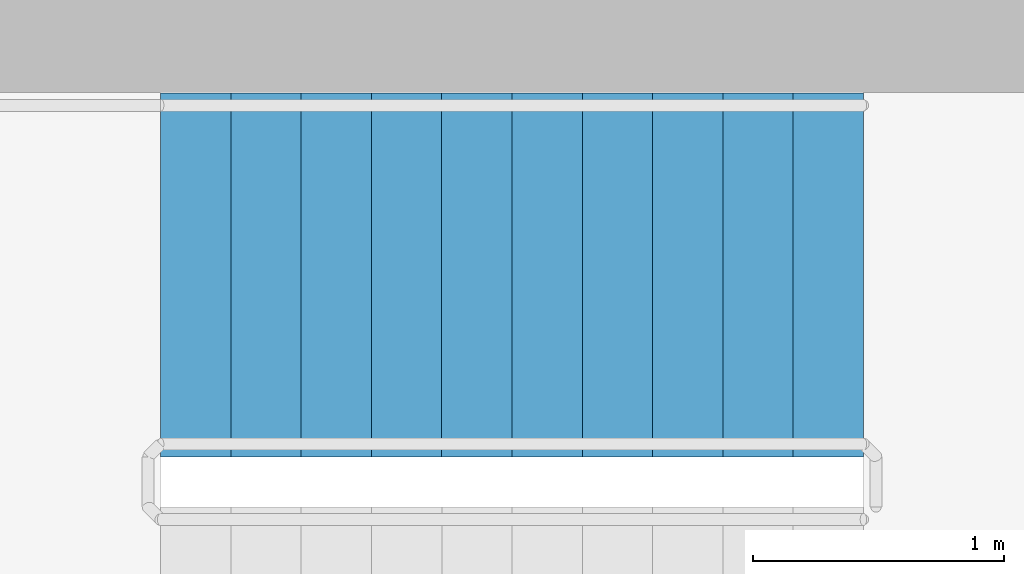
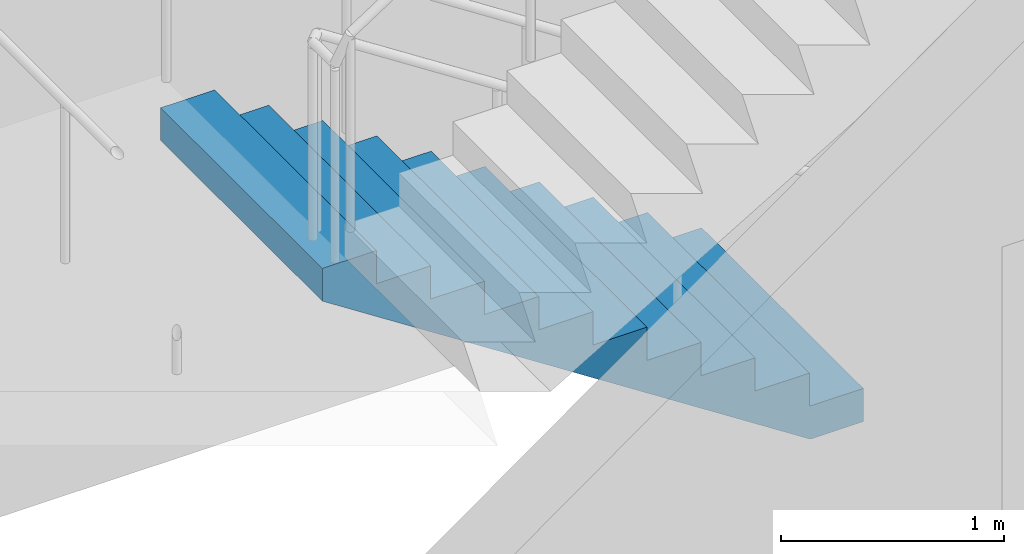
# One storey, part 8 of 10: 1 stair flight, 1 element without a shape of its own.
"""IFC4 building model written with IfcOpenShell, lengths in metres."""

import ifcopenshell
import ifcopenshell.guid

model = None  # the IFC model being written
_history = None  # IfcOwnerHistory: only IFC2X3 demands one
_inside = {}  # id of a spatial element -> (the spatial element, [elements in it])
_under = {}  # id of a project, library or spatial element -> (it, [spatial elements below it])
_declared = {}  # id of a project -> (the project, [libraries it declares])
_typed = {}  # id of a type object -> (the type object, [elements of that type])
_made_of = {}  # id of a material, layer set ... -> (it, [elements and type objects made of it])


def new_model(schema):
    """Start an empty IFC model of exactly this schema.

    Asked for "IFC4X3", IfcOpenShell would pick the latest addendum, in which some entities
    have other attributes; the version numbers below select the first issue.
    IFC2X3 requires an IfcOwnerHistory on every rooted entity: one is made here for all.
    """
    global model, _history
    if schema == "IFC4X3":
        model = ifcopenshell.file(schema_version=(4, 3, 0, 0))
    else:
        model = ifcopenshell.file(schema=schema)
    _inside.clear()
    _under.clear()
    _declared.clear()
    _typed.clear()
    _made_of.clear()
    _history = None
    if model.schema == "IFC2X3":
        org = make("IfcOrganization", Name="unknown")
        user = make(
            "IfcPersonAndOrganization",
            ThePerson=make("IfcPerson", FamilyName="unknown"),
            TheOrganization=org,
        )
        app = make(
            "IfcApplication",
            ApplicationDeveloper=org,
            Version="unknown",
            ApplicationFullName="unknown",
            ApplicationIdentifier="unknown",
        )
        _history = make(
            "IfcOwnerHistory",
            OwningUser=user,
            OwningApplication=app,
            ChangeAction="ADDED",
            CreationDate=0,
        )
    return model


def make(cls, **values):
    """One entity of the class cls with the attributes given. An attribute that is None is left unset."""
    return model.create_entity(
        cls, **{name: value for name, value in values.items() if value is not None}
    )


def rooted(cls, **values):
    """An entity with a GlobalId (a new one), such as an element, a storey or a relation."""
    return make(cls, GlobalId=ifcopenshell.guid.new(), OwnerHistory=_history, **values)


def si_unit(unit_type, name, prefix=None):
    """IfcSIUnit, for example si_unit("LENGTHUNIT", "METRE", prefix="MILLI")."""
    return make("IfcSIUnit", UnitType=unit_type, Prefix=prefix, Name=name)


def assignment(units):
    """IfcUnitAssignment: the units of a project."""
    return None if units is None else make("IfcUnitAssignment", Units=units)


def point(xyz):
    """IfcCartesianPoint."""
    return None if xyz is None else make("IfcCartesianPoint", Coordinates=xyz)


def direction(xyz):
    """IfcDirection."""
    return None if xyz is None else make("IfcDirection", DirectionRatios=xyz)


def frame(location, z_axis=None, x_axis=None):
    """IfcAxis2Placement3D, a coordinate frame: its origin and axes. An axis left out is left unset."""
    return make(
        "IfcAxis2Placement3D",
        Location=point(location),
        Axis=direction(z_axis),
        RefDirection=direction(x_axis),
    )


def origin():
    """The frame at (0, 0, 0) with its axes left unset."""
    return frame((0.0, 0.0, 0.0))


def place(relative_to, where):
    """IfcLocalPlacement: puts the frame where relative to a parent placement (None: the world)."""
    return make(
        "IfcLocalPlacement", PlacementRelTo=relative_to, RelativePlacement=where
    )


def context(
    kind, dimensions, precision=None, world=None, true_north=None, identifier=None
):
    """IfcGeometricRepresentationContext, for example the 3D "Model" context."""
    return make(
        "IfcGeometricRepresentationContext",
        ContextIdentifier=identifier,
        ContextType=kind,
        CoordinateSpaceDimension=dimensions,
        Precision=precision,
        WorldCoordinateSystem=world,
        TrueNorth=true_north,
    )


def subcontext(parent, identifier, kind, view, scale=None):
    """IfcGeometricRepresentationSubContext, for example "Body" below "Model"."""
    return make(
        "IfcGeometricRepresentationSubContext",
        ContextIdentifier=identifier,
        ContextType=kind,
        ParentContext=parent,
        TargetScale=scale,
        TargetView=view,
    )


def project(units=None, contexts=None):
    """IfcProject with its units and contexts."""
    return rooted(
        "IfcProject",
        Name="project",
        RepresentationContexts=contexts,
        UnitsInContext=assignment(units),
    )


def spatial(cls, under=None, at=None, **own):
    """A site, building, storey or space (cls), placed at a placement, below another one or the project."""
    s = rooted(cls, ObjectPlacement=at, **own)
    if under is not None:
        _under.setdefault(under.id(), (under, []))[1].append(s)
    return s


def polyline(points):
    """IfcPolyline through the points."""
    return make("IfcPolyline", Points=[point(p) for p in points])


def outline(outer, holes=None, kind="AREA"):
    """IfcArbitraryClosedProfileDef: a profile drawn as a closed curve; with holes, ...WithVoids."""
    if holes is None:
        return make("IfcArbitraryClosedProfileDef", ProfileType=kind, OuterCurve=outer)
    return make(
        "IfcArbitraryProfileDefWithVoids",
        ProfileType=kind,
        OuterCurve=outer,
        InnerCurves=holes,
    )


def extrude(swept, where, along, depth):
    """IfcExtrudedAreaSolid: the profile swept, set in the frame where, extruded along a direction by depth."""
    return make(
        "IfcExtrudedAreaSolid",
        SweptArea=swept,
        Position=where,
        ExtrudedDirection=direction(along),
        Depth=depth,
    )


def shape(context_of_items, identifier, shape_type, items):
    """IfcShapeRepresentation: the items that make up one representation, for example the "Body"."""
    return make(
        "IfcShapeRepresentation",
        ContextOfItems=context_of_items,
        RepresentationIdentifier=identifier,
        RepresentationType=shape_type,
        Items=items,
    )


def material(Name=None, Category=None):
    """IfcMaterial."""
    return make("IfcMaterial", Name=Name, Category=Category)


def made_of(thing, what):
    """Note that an element or type object is made of a material, layer set ...; save() writes the relation."""
    if what is not None:
        _made_of.setdefault(what.id(), (what, []))[1].append(thing)
    return thing


def type_object(cls, material=None, **own):
    """A type object (cls), such as IfcWallType, which elements share."""
    return made_of(rooted(cls, **own), material)


def element(
    cls,
    number,
    at=None,
    inside=None,
    cuts=None,
    type_object=None,
    material=None,
    context=None,
    identifier="Body",
    shape_type=None,
    held_by="IfcProductDefinitionShape",
    body=None,
    shapes=None,
    **own,
):
    """One element of the class cls, such as IfcWall. Its Tag is "e" and its number.

    at: its placement. inside: the storey or other place that contains it. cuts: it is an
    opening in that element (IfcRelVoidsElement). A single representation is given by context,
    identifier, shape_type and body (its items); several are given by shapes. held_by: the class
    of the entity that holds the representations. save() writes the other relations.
    """
    e = rooted(cls, Tag="e%d" % number, ObjectPlacement=at, **own)
    if body is not None:
        shapes = [shape(context, identifier, shape_type, body)]
    if shapes is not None:
        e.Representation = make(held_by, Representations=shapes)
    if inside is not None:
        _inside.setdefault(inside.id(), (inside, []))[1].append(e)
    if cuts is not None:
        rooted(
            "IfcRelVoidsElement", RelatingBuildingElement=cuts, RelatedOpeningElement=e
        )
    if type_object is not None:
        _typed.setdefault(type_object.id(), (type_object, []))[1].append(e)
    return made_of(e, material)


def aggregate(whole, parts):
    """IfcRelAggregates: a whole, such as a stair, and the parts it consists of."""
    return rooted("IfcRelAggregates", RelatingObject=whole, RelatedObjects=parts)


def save(model, path):
    """Write the relations noted so far, then the file.

    IfcRelAggregates (storeys below a building ...), IfcRelContainedInSpatialStructure (elements
    in a storey), IfcRelDefinesByType, IfcRelAssociatesMaterial and IfcRelDeclares: one each for
    every whole, place, type object, material and project.
    """
    for whole, parts in _under.values():
        aggregate(whole, parts)
    for where, things in _inside.values():
        rooted(
            "IfcRelContainedInSpatialStructure",
            RelatedElements=things,
            RelatingStructure=where,
        )
    for kind, things in _typed.values():
        rooted("IfcRelDefinesByType", RelatedObjects=things, RelatingType=kind)
    for what, things in _made_of.values():
        rooted("IfcRelAssociatesMaterial", RelatedObjects=things, RelatingMaterial=what)
    for by, libraries in _declared.values():
        rooted("IfcRelDeclares", RelatingContext=by, RelatedDefinitions=libraries)
    model.write(path)


model = new_model("IFC4")

# Units and contexts
model_context = context("Model", 3, precision=1e-05, world=origin(), true_north=direction((0.0, 1.0)))
body_context = subcontext(model_context, "Body", "Model", "MODEL_VIEW")
ifc_project = project(units=[si_unit("LENGTHUNIT", "METRE"), si_unit("AREAUNIT", "SQUARE_METRE"), si_unit("VOLUMEUNIT", "CUBIC_METRE"), si_unit("PLANEANGLEUNIT", "RADIAN"), si_unit("MASSUNIT", "GRAM", prefix="KILO")], contexts=[model_context])

# Site, building, storey
site_placement = place(None, origin())
site = spatial("IfcSite", under=ifc_project, at=site_placement, CompositionType="ELEMENT")
building_placement = place(site_placement, origin())
building = spatial("IfcBuilding", under=site, at=building_placement, Name="Verdant Reach Tower", CompositionType="ELEMENT")
storey_placement = place(building_placement, frame((0.0, 0.0, 214.0)))
storey = spatial("IfcBuildingStorey", under=building, at=storey_placement, Name="L49", CompositionType="ELEMENT", Elevation=214.0)

# Stair, stair flight
ifc_material = material(Name="Concrete C40/50", Category="concrete")
stair_type = type_object("IfcStairType", Name="CO-STAIR", PredefinedType="HALF_TURN_STAIR", material=ifc_material)
stair_placement = place(storey_placement, origin())
stair = element("IfcStair", 1, at=stair_placement, inside=storey, type_object=stair_type, Name="L49 Exit stair 3", PredefinedType="HALF_TURN_STAIR")
stair_flight_type = type_object("IfcStairFlightType", Name="CO-STAIR-FLIGHT", PredefinedType="STRAIGHT", material=ifc_material)
stair_flight_placement = place(storey_placement, frame((11.14990234375, 36.875, 0.0), z_axis=(0.0, 0.0, 1.0), x_axis=(-1.0, 0.0, 0.0)))
stair_flight = element("IfcStairFlight", 2, at=stair_flight_placement, type_object=stair_flight_type, Name="ST-3 flight 1", NumberOfRisers=11, NumberOfTreads=10, PredefinedType="STRAIGHT", RiserHeight=0.181818182, TreadLength=0.28, context=body_context, shape_type="SweptSolid", body=[
    extrude(outline(polyline([(0.0, 0.0), (0.0, 0.181884765625), (0.280029296875, 0.181884765625), (0.280029296875, 0.363525390625), (0.56005859375, 0.363525390625), (0.56005859375, 0.54541015625), (0.840087890625, 0.54541015625), (0.840087890625, 0.727294921875), (1.1201171875, 0.727294921875), (1.1201171875, 0.9091796875), (1.39990234375, 0.9091796875), (1.39990234375, 1.0908203125), (1.679931640625, 1.0908203125), (1.679931640625, 1.272705078125), (1.9599609375, 1.272705078125), (1.9599609375, 1.45458984375), (2.239990234375, 1.45458984375), (2.239990234375, 1.636474609375), (2.52001953125, 1.636474609375), (2.52001953125, 1.818115234375), (2.800048828125, 1.818115234375), (2.800048828125, 2.0), (2.800048828125, 1.639404296875), (0.275146484375, 0.0), (0.0, 0.0)])), frame((0.0, 0.72509765625, 0.0), z_axis=(0.0, -1.0, 0.0), x_axis=(1.0, 0.0, 0.0)), (0.0, 0.0, 1.0), 1.449951171875),
])
aggregate(stair, [stair_flight])

save(model, "model.ifc")
